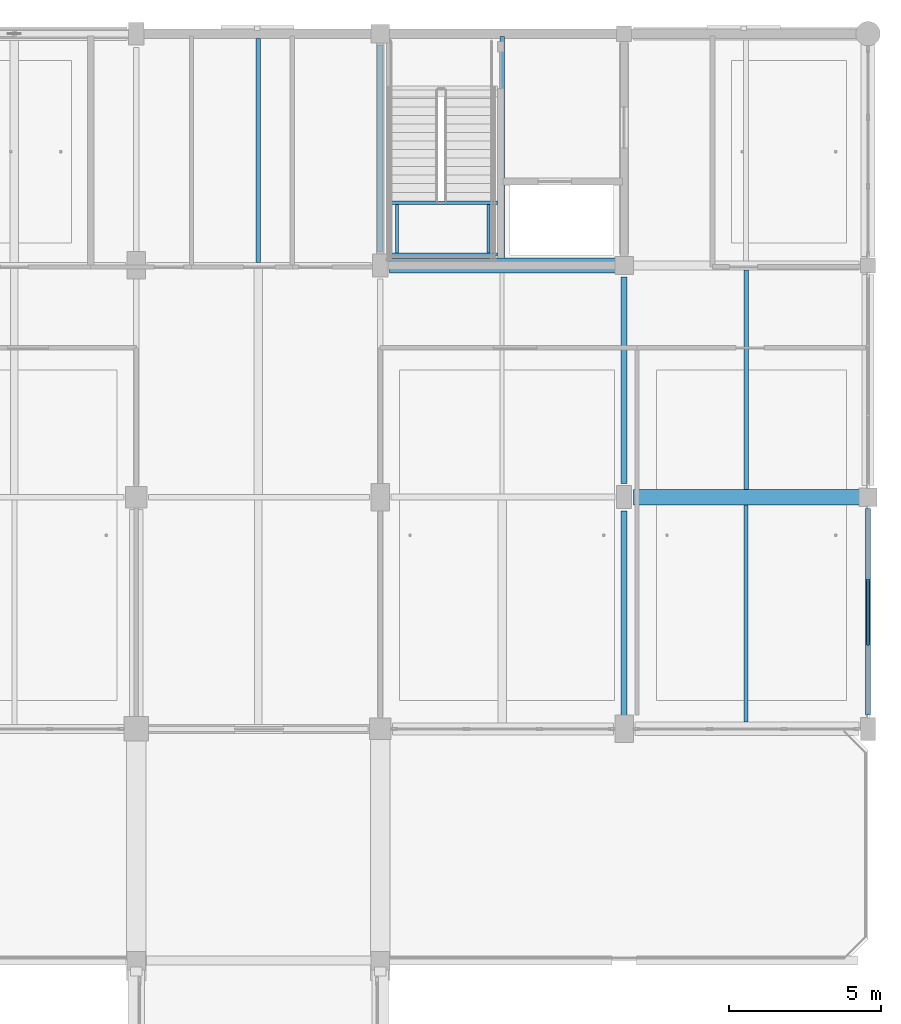
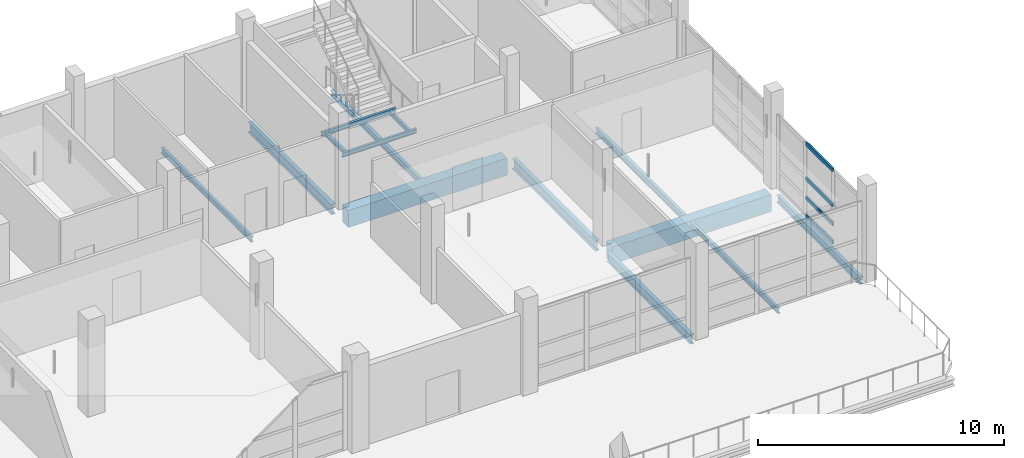
# One storey, part 68 of 141: 14 beams, 4 members, 1 element without a shape of its own.
"""IFC4 building model written with IfcOpenShell, lengths in metres."""

from ifc_helpers import new_model, si_unit, direction, frame, origin, origin_2d, place, context, subcontext, project, spatial, rectangle, hollow_rectangle, i_section, extrude, material, material_profile, profile_set, type_object, element, aggregate, save


model = new_model("IFC4")

# Units and contexts
model_context = context("Model", 3, precision=1e-05, world=origin(), true_north=direction((0.0, 1.0)))
body_context = subcontext(model_context, "Body", "Model", "MODEL_VIEW")
ifc_project = project(units=[si_unit("LENGTHUNIT", "METRE"), si_unit("AREAUNIT", "SQUARE_METRE"), si_unit("VOLUMEUNIT", "CUBIC_METRE"), si_unit("PLANEANGLEUNIT", "RADIAN"), si_unit("MASSUNIT", "GRAM", prefix="KILO")], contexts=[model_context])

# Site, building, storey
site_placement = place(None, origin())
site = spatial("IfcSite", under=ifc_project, at=site_placement, CompositionType="ELEMENT")
building_placement = place(site_placement, origin())
building = spatial("IfcBuilding", under=site, at=building_placement, Name="Khelvaren Railside Concert Hall", CompositionType="ELEMENT")
storey_placement = place(building_placement, frame((0.0, 0.0, 10.199951171875)))
storey = spatial("IfcBuildingStorey", under=building, at=storey_placement, Name="L02", CompositionType="ELEMENT", Elevation=10.199951171875)

# Beams
ifc_material_1 = material(Name="Steel S355", Category="steel")
ifc_material_profile_1 = material_profile(ifc_material_1, i_section(OverallWidth=0.199951171875, OverallDepth=0.5, WebThickness=0.01025390625, FlangeThickness=0.01611328125, FilletRadius=0.02099609375, at=origin_2d()), Name="IPE 500")
ifc_profile_set_1 = profile_set([ifc_material_profile_1], Name="Steel S355")
beam_type_1 = type_object("IfcBeamType", Name="BM62", PredefinedType="BEAM", material=ifc_profile_set_1)
for number, where, z_axis, x_axis, name in (
    (1, (168.0, 106.85009765625, -0.5400390625), (0.0, 1.0, 0.0), (-1.0, 0.0, 0.0), "V5 L02 Beam Y6.4"),
    (2, (176.0, 99.25, -0.5400390625), (0.0, 1.0, 0.0), (-1.0, 0.0, 0.0), "V5 L02 Beam Y7.3"),
):
    element("IfcBeam", number, at=place(storey_placement, frame(where, z_axis=z_axis, x_axis=x_axis)), inside=storey, type_object=beam_type_1, Name=name, PredefinedType="BEAM", context=body_context, shape_type="SweptSolid", body=[
        extrude(i_section(OverallWidth=0.199951171875, OverallDepth=0.5, WebThickness=0.01025390625, FlangeThickness=0.01611328125, FilletRadius=0.02099609375, at=origin_2d()), origin(), (0.0, 0.0, 1.0), 6.77490234375),
    ])
ifc_material_profile_2 = material_profile(ifc_material_1, i_section(OverallWidth=0.110107421875, OverallDepth=0.219970703125, WebThickness=0.005859375, FlangeThickness=0.00927734375, FilletRadius=0.011962890625, at=origin_2d()), Name="IPE 220")
ifc_profile_set_2 = profile_set([ifc_material_profile_2], Name="Steel S355")
beam_type_2 = type_object("IfcBeamType", Name="BM87", PredefinedType="BEAM", material=ifc_profile_set_2)
for number, where, z_axis, x_axis, name in (
    (3, (168.344970703125, 108.455078125, 2.090087890625), (1.0, 0.0, 0.0), (0.0, 1.0, 0.0), "ST-10 L02 Half-Landing Front Beam"),
    (4, (168.344970703125, 106.760009765625, 2.090087890625), (1.0, 0.0, 0.0), (0.0, 1.0, 0.0), "ST-10 L02 Half-Landing Rear Beam"),
):
    element("IfcBeam", number, at=place(storey_placement, frame(where, z_axis=z_axis, x_axis=x_axis)), inside=storey, type_object=beam_type_2, Name=name, PredefinedType="BEAM", context=body_context, shape_type="SweptSolid", body=[
        extrude(i_section(OverallWidth=0.110107421875, OverallDepth=0.219970703125, WebThickness=0.005859375, FlangeThickness=0.00927734375, FilletRadius=0.011962890625, at=origin_2d()), origin(), (0.0, 0.0, 1.0), 3.4951171875),
    ])
for number, where, z_axis, x_axis, name in (
    (5, (168.550048828125, 106.81494140625, 2.090087890625), (0.0, 1.0, 0.0), (-1.0, 0.0, 0.0), "ST-10 L02 Half-Landing Side Tie W"),
    (6, (171.550048828125, 106.81494140625, 2.090087890625), (0.0, 1.0, 0.0), (-1.0, 0.0, 0.0), "ST-10 L02 Half-Landing Side Tie E"),
):
    element("IfcBeam", number, at=place(storey_placement, frame(where, z_axis=z_axis, x_axis=x_axis)), inside=storey, type_object=beam_type_2, Name=name, PredefinedType="BEAM", context=body_context, shape_type="SweptSolid", body=[
        extrude(i_section(OverallWidth=0.110107421875, OverallDepth=0.219970703125, WebThickness=0.005859375, FlangeThickness=0.00927734375, FilletRadius=0.011962890625, at=origin_2d()), origin(), (0.0, 0.0, 1.0), 1.5849609375),
    ])
ifc_material_profile_3 = material_profile(ifc_material_1, i_section(OverallWidth=0.18994140625, OverallDepth=0.449951171875, WebThickness=0.009521484375, FlangeThickness=0.0146484375, FilletRadius=0.02099609375, at=origin_2d()), Name="IPE 450")
ifc_profile_set_3 = profile_set([ifc_material_profile_3], Name="Steel S355")
beam_type_3 = type_object("IfcBeamType", Name="BM95", PredefinedType="BEAM", material=ifc_profile_set_3)
beam_1_placement = place(storey_placement, frame((176.0, 91.550048828125, -0.514892578125), z_axis=(0.0, 1.0, 0.0), x_axis=(-1.0, 0.0, 0.0)))
element("IfcBeam", 7, at=beam_1_placement, inside=storey, type_object=beam_type_3, Name="V5 L02 Beam Y7.2", PredefinedType="BEAM", context=body_context, shape_type="SweptSolid", body=[
    extrude(i_section(OverallWidth=0.18994140625, OverallDepth=0.449951171875, WebThickness=0.009521484375, FlangeThickness=0.0146484375, FilletRadius=0.02099609375, at=origin_2d()), origin(), (0.0, 0.0, 1.0), 6.800048828125),
])

# Curtain wall, members
ifc_material_2 = material(Name="Acoustic laminated crystal facade glass", Category="glass")
curtain_wall_type = type_object("IfcCurtainWallType", Name="CW15", PredefinedType="USERDEFINED", material=ifc_material_2)
curtain_wall_placement = place(storey_placement, origin())
curtain_wall = element("IfcCurtainWall", 8, at=curtain_wall_placement, inside=storey, type_object=curtain_wall_type, Name="Unitised Curtain Wall CW-V5-L02-E-91", ObjectType="UNITISED CURTAIN WALL", PredefinedType="USERDEFINED")
ifc_material_3 = material(Name="Anodised architectural aluminium 6063-T6", Category="aluminium")
ifc_material_profile_4 = material_profile(ifc_material_3, hollow_rectangle(XDim=0.0849609375, YDim=0.18994140625, WallThickness=0.0048828125, InnerFilletRadius=0.0029296875, OuterFilletRadius=0.0048828125, at=origin_2d()), Name="CWT 85x190x5")
ifc_profile_set_4 = profile_set([ifc_material_profile_4], Name="Anodised architectural aluminium 6063-T6")
member_type = type_object("IfcMemberType", Name="CWT31", PredefinedType="USERDEFINED", material=ifc_profile_set_4)
member_1_placement = place(storey_placement, frame((184.0, 96.123291015625, 0.04248046875), z_axis=(0.0, -1.0, 0.0), x_axis=(1.0, 0.0, 0.0)))
member_1 = element("IfcMember", 9, at=member_1_placement, type_object=member_type, Name="CW15 transom 2.1", ObjectType="TRANSOM", PredefinedType="USERDEFINED", context=body_context, shape_type="SweptSolid", body=[
    extrude(hollow_rectangle(XDim=0.0849609375, YDim=0.18994140625, WallThickness=0.0048828125, InnerFilletRadius=0.0029296875, OuterFilletRadius=0.0048828125, at=origin_2d()), origin(), (0.0, 0.0, 1.0), 2.171630859375),
])
member_2_placement = place(storey_placement, frame((184.0, 96.123291015625, 0.949951171875), z_axis=(0.0, -1.0, 0.0), x_axis=(1.0, 0.0, 0.0)))
member_2 = element("IfcMember", 10, at=member_2_placement, type_object=member_type, Name="CW15 transom 2.2", ObjectType="TRANSOM", PredefinedType="USERDEFINED", context=body_context, shape_type="SweptSolid", body=[
    extrude(hollow_rectangle(XDim=0.0849609375, YDim=0.18994140625, WallThickness=0.0048828125, InnerFilletRadius=0.0029296875, OuterFilletRadius=0.0048828125, at=origin_2d()), origin(), (0.0, 0.0, 1.0), 2.171630859375),
])
member_3_placement = place(storey_placement, frame((184.0, 96.123291015625, 1.9033203125), z_axis=(0.0, -1.0, 0.0), x_axis=(1.0, 0.0, 0.0)))
member_3 = element("IfcMember", 11, at=member_3_placement, type_object=member_type, Name="CW15 transom 2.3", ObjectType="TRANSOM", PredefinedType="USERDEFINED", context=body_context, shape_type="SweptSolid", body=[
    extrude(hollow_rectangle(XDim=0.0849609375, YDim=0.18994140625, WallThickness=0.0048828125, InnerFilletRadius=0.0029296875, OuterFilletRadius=0.0048828125, at=origin_2d()), origin(), (0.0, 0.0, 1.0), 2.171630859375),
])
member_4_placement = place(storey_placement, frame((184.0, 96.123291015625, 3.617431640625), z_axis=(0.0, -1.0, 0.0), x_axis=(1.0, 0.0, 0.0)))
member_4 = element("IfcMember", 12, at=member_4_placement, type_object=member_type, Name="CW15 transom 2.4", ObjectType="TRANSOM", PredefinedType="USERDEFINED", context=body_context, shape_type="SweptSolid", body=[
    extrude(hollow_rectangle(XDim=0.0849609375, YDim=0.18994140625, WallThickness=0.0048828125, InnerFilletRadius=0.0029296875, OuterFilletRadius=0.0048828125, at=origin_2d()), origin(), (0.0, 0.0, 1.0), 2.171630859375),
])
aggregate(curtain_wall, [member_1, member_2, member_3, member_4])

# Beams
ifc_material_4 = material(Name="Concrete C40/50", Category="concrete")
ifc_material_profile_5 = material_profile(ifc_material_4, rectangle(XDim=0.5, YDim=0.85009765625, at=origin_2d()), Name="RCB 500x850")
ifc_profile_set_5 = profile_set([ifc_material_profile_5], Name="Concrete C40/50")
beam_type_4 = type_object("IfcBeamType", Name="GR96", PredefinedType="T_BEAM", material=ifc_profile_set_5)
for number, where, z_axis, x_axis, name in (
    (13, (176.300048828125, 98.800048828125, -0.71484375), (1.0, 0.0, 0.0), (0.0, 1.0, 0.0), "V5 L02 T_Beam X3.7"),
    (14, (168.300048828125, 106.39990234375, -0.71484375), (1.0, 0.0, 0.0), (0.0, 1.0, 0.0), "V5 L02 T_Beam X4.6"),
):
    element("IfcBeam", number, at=place(storey_placement, frame(where, z_axis=z_axis, x_axis=x_axis)), inside=storey, type_object=beam_type_4, Name=name, PredefinedType="T_BEAM", context=body_context, shape_type="SweptSolid", body=[
        extrude(rectangle(XDim=0.5, YDim=0.85009765625, at=origin_2d()), origin(), (0.0, 0.0, 1.0), 7.449951171875),
    ])
ifc_material_profile_6 = material_profile(ifc_material_1, i_section(OverallWidth=0.14990234375, OverallDepth=0.300048828125, WebThickness=0.007080078125, FlangeThickness=0.0107421875, FilletRadius=0.014892578125, at=origin_2d()), Name="IPE 300")
ifc_profile_set_6 = profile_set([ifc_material_profile_6], Name="Steel S355")
beam_type_5 = type_object("IfcBeamType", Name="JS26", PredefinedType="JOIST", material=ifc_profile_set_6)
beam_2_placement = place(storey_placement, frame((172.0, 106.64990234375, -0.43994140625), z_axis=(0.0, 1.0, 0.0), x_axis=(-1.0, 0.0, 0.0)))
element("IfcBeam", 15, at=beam_2_placement, inside=storey, type_object=beam_type_5, Name="V5 L02 Secondary Joist 6.4", PredefinedType="JOIST", context=body_context, shape_type="SweptSolid", body=[
    extrude(i_section(OverallWidth=0.14990234375, OverallDepth=0.300048828125, WebThickness=0.007080078125, FlangeThickness=0.0107421875, FilletRadius=0.014892578125, at=origin_2d()), origin(), (0.0, 0.0, 1.0), 7.26513671875),
])
beam_3_placement = place(storey_placement, frame((180.0, 99.050048828125, -0.43994140625), z_axis=(0.0, 1.0, 0.0), x_axis=(-1.0, 0.0, 0.0)))
element("IfcBeam", 16, at=beam_3_placement, inside=storey, type_object=beam_type_5, Name="V5 L02 Secondary Joist 7.3", PredefinedType="JOIST", context=body_context, shape_type="SweptSolid", body=[
    extrude(i_section(OverallWidth=0.14990234375, OverallDepth=0.300048828125, WebThickness=0.007080078125, FlangeThickness=0.0107421875, FilletRadius=0.014892578125, at=origin_2d()), origin(), (0.0, 0.0, 1.0), 7.199951171875),
])
ifc_material_profile_7 = material_profile(ifc_material_1, i_section(OverallWidth=0.135009765625, OverallDepth=0.27001953125, WebThickness=0.006591796875, FlangeThickness=0.01025390625, FilletRadius=0.014892578125, at=origin_2d()), Name="IPE 270")
ifc_profile_set_7 = profile_set([ifc_material_profile_7], Name="Steel S355")
beam_type_6 = type_object("IfcBeamType", Name="JS78", PredefinedType="JOIST", material=ifc_profile_set_7)
beam_4_placement = place(storey_placement, frame((164.0, 106.5, -0.425048828125), z_axis=(0.0, 1.0, 0.0), x_axis=(-1.0, 0.0, 0.0)))
element("IfcBeam", 17, at=beam_4_placement, inside=storey, type_object=beam_type_6, Name="V5 L02 Secondary Joist 5.4", PredefinedType="JOIST", context=body_context, shape_type="SweptSolid", body=[
    extrude(i_section(OverallWidth=0.135009765625, OverallDepth=0.27001953125, WebThickness=0.006591796875, FlangeThickness=0.01025390625, FilletRadius=0.014892578125, at=origin_2d()), origin(), (0.0, 0.0, 1.0), 7.35009765625),
])
beam_5_placement = place(storey_placement, frame((180.0, 91.425048828125, -0.425048828125), z_axis=(0.0, 1.0, 0.0), x_axis=(-1.0, 0.0, 0.0)))
element("IfcBeam", 18, at=beam_5_placement, inside=storey, type_object=beam_type_6, Name="V5 L02 Secondary Joist 7.2", PredefinedType="JOIST", context=body_context, shape_type="SweptSolid", body=[
    extrude(i_section(OverallWidth=0.135009765625, OverallDepth=0.27001953125, WebThickness=0.006591796875, FlangeThickness=0.01025390625, FilletRadius=0.014892578125, at=origin_2d()), origin(), (0.0, 0.0, 1.0), 7.125),
])
ifc_material_profile_8 = material_profile(ifc_material_1, i_section(OverallWidth=0.169921875, OverallDepth=0.360107421875, WebThickness=0.008056640625, FlangeThickness=0.0126953125, FilletRadius=0.01806640625, at=origin_2d()), Name="IPE 360")
ifc_profile_set_8 = profile_set([ifc_material_profile_8], Name="Steel S355")
beam_type_7 = type_object("IfcBeamType", Name="SP74", PredefinedType="SPANDREL", material=ifc_profile_set_8)
beam_6_placement = place(storey_placement, frame((184.0, 91.64990234375, -0.469970703125), z_axis=(0.0, 1.0, 0.0), x_axis=(-1.0, 0.0, 0.0)))
element("IfcBeam", 19, at=beam_6_placement, inside=storey, type_object=beam_type_7, Name="V5 L02 Spandrel Y8.2", PredefinedType="SPANDREL", context=body_context, shape_type="SweptSolid", body=[
    extrude(i_section(OverallWidth=0.169921875, OverallDepth=0.360107421875, WebThickness=0.008056640625, FlangeThickness=0.0126953125, FilletRadius=0.01806640625, at=origin_2d()), origin(), (0.0, 0.0, 1.0), 6.775146484375),
])

save(model, "model.ifc")
